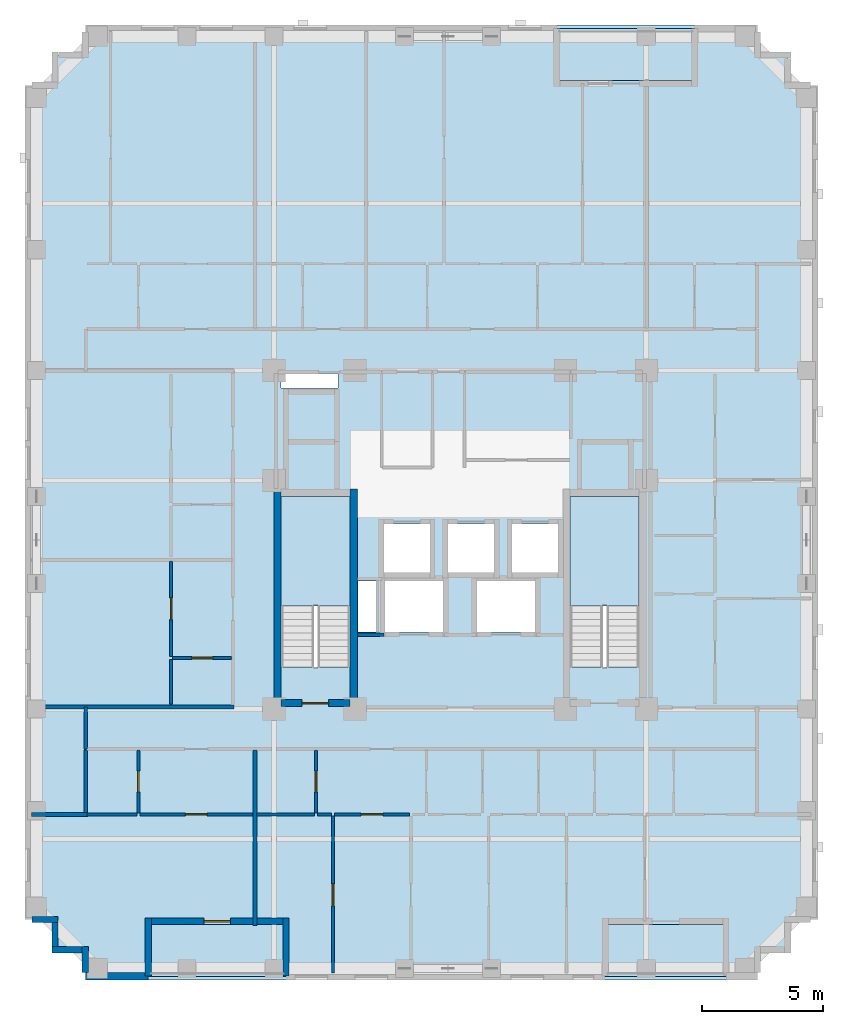
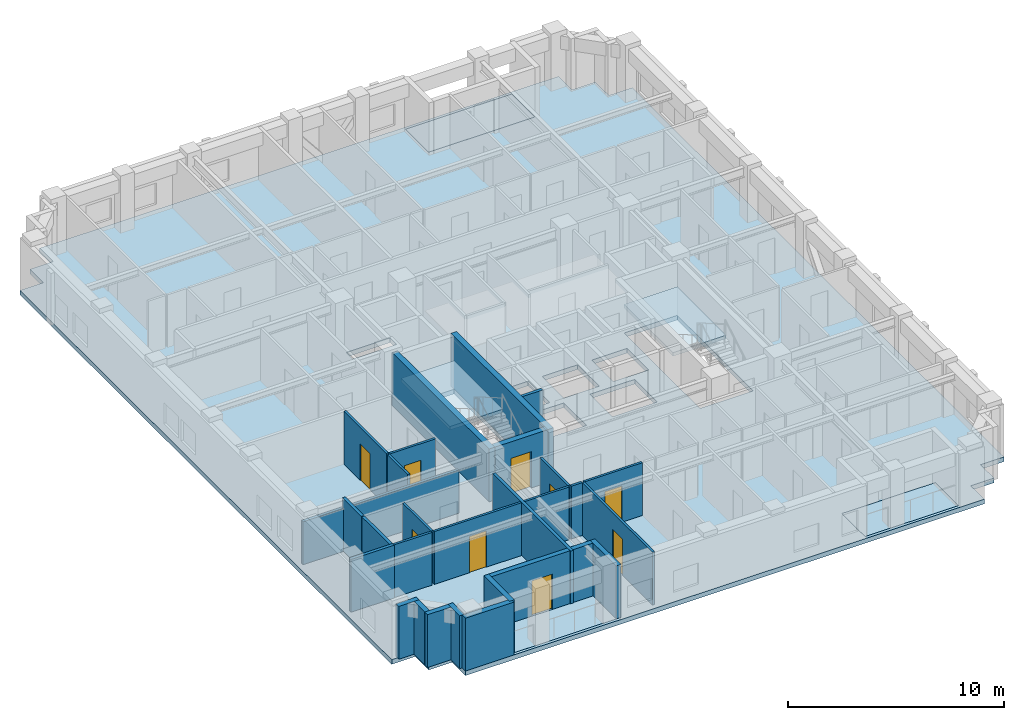
# One storey, part 2 of 11: 28 walls, 9 doors, 6 slabs, 9 openings, 2 elements without a shape of their own.
"""IFC4 building model written with IfcOpenShell, lengths in metres."""

from ifc_helpers import new_model, si_unit, derived_unit, direction, frame, frame_2d, origin, place, context, subcontext, project, spatial, polyline, rectangle, outline, extrude, material, layer, layer_set, type_object, element, fill, aggregate, save


model = new_model("IFC4")

# Units and contexts
model_context = context("Model", 3, precision=1e-05, world=origin(), true_north=direction((0.0, 1.0)))
body_context = subcontext(model_context, "Body", "Model", "MODEL_VIEW")
ifc_project = project(units=[si_unit("LENGTHUNIT", "METRE"), si_unit("AREAUNIT", "SQUARE_METRE"), si_unit("VOLUMEUNIT", "CUBIC_METRE"), si_unit("PLANEANGLEUNIT", "RADIAN"), si_unit("MASSUNIT", "GRAM", prefix="KILO"), derived_unit("THERMALTRANSMITTANCEUNIT", [(si_unit("MASSUNIT", "GRAM", prefix="KILO"), 1), (si_unit("TIMEUNIT", "SECOND"), -3), (si_unit("THERMODYNAMICTEMPERATUREUNIT", "KELVIN"), -1)])], contexts=[model_context])

# Site, building, storey
site_placement = place(None, origin())
site = spatial("IfcSite", under=ifc_project, at=site_placement, CompositionType="ELEMENT")
building_placement = place(site_placement, origin())
building = spatial("IfcBuilding", under=site, at=building_placement, Name="Korrvale Station Residences", CompositionType="ELEMENT")
storey_placement = place(building_placement, frame((0.0, 0.0, 143.89990234375)))
storey = spatial("IfcBuildingStorey", under=building, at=storey_placement, Name="L41", CompositionType="ELEMENT", Elevation=143.89990234375)

# Slabs
ifc_material_1 = material(Name="Concrete C50/60", Category="concrete")
ifc_layer_1 = layer(ifc_material_1, 0.219970703125, Name="Concrete C50/60")
ifc_layer_set_1 = layer_set([ifc_layer_1], Name="Concrete C50/60")
slab_type_1 = type_object("IfcSlabType", Name="SLB-BAL-220", PredefinedType="FLOOR", material=ifc_layer_set_1)
slab_1_placement = place(storey_placement, frame((0.0, 0.0, -0.219970703125)))
element("IfcSlab", 1, at=slab_1_placement, inside=storey, type_object=slab_type_1, Name="L41 Recessed Loggia Balcony Slab BAL-L41-S1", PredefinedType="FLOOR", context=body_context, shape_type="SweptSolid", body=[
    extrude(outline(polyline([(12.60009765625, 3.949951171875), (18.300048828125, 3.949951171875), (18.300048828125, 6.10009765625), (12.60009765625, 6.10009765625), (12.60009765625, 3.949951171875)])), origin(), (0.0, 0.0, 1.0), 0.219970703125),
])
slab_2_placement = place(storey_placement, frame((0.0, 0.0, -0.219970703125)))
element("IfcSlab", 2, at=slab_2_placement, inside=storey, type_object=slab_type_1, Name="L41 Recessed Loggia Balcony Slab BAL-L41-N1", PredefinedType="FLOOR", context=body_context, shape_type="SweptSolid", body=[
    extrude(outline(polyline([(29.5, 41.0), (35.199951171875, 41.0), (35.199951171875, 43.14990234375), (29.5, 43.14990234375), (29.5, 41.0)])), origin(), (0.0, 0.0, 1.0), 0.219970703125),
])
slab_3_placement = place(storey_placement, frame((0.0, 0.0, -0.219970703125)))
element("IfcSlab", 3, at=slab_3_placement, inside=storey, type_object=slab_type_1, Name="L41 Recessed Loggia Balcony Slab BAL-L41-S2", PredefinedType="FLOOR", context=body_context, shape_type="SweptSolid", body=[
    extrude(outline(polyline([(31.5, 3.949951171875), (36.5, 3.949951171875), (36.5, 6.10009765625), (31.5, 6.10009765625), (31.5, 3.949951171875)])), origin(), (0.0, 0.0, 1.0), 0.219970703125),
])
ifc_layer_2 = layer(ifc_material_1, 0.260009765625, Name="Concrete C50/60")
ifc_layer_set_2 = layer_set([ifc_layer_2], Name="Concrete C50/60")
slab_type_2 = type_object("IfcSlabType", Name="SLB-FLR-260", PredefinedType="FLOOR", material=ifc_layer_set_2)
slab_4_placement = place(storey_placement, frame((0.0, 0.0, -0.260009765625)))
element("IfcSlab", 4, at=slab_4_placement, inside=storey, type_object=slab_type_2, Name="L41 Suspended Structural Floor Slab", PredefinedType="FLOOR", context=body_context, shape_type="SweptSolid", body=[
    extrude(outline(polyline([(10.0, 3.800048828125), (37.800048828125, 3.800048828125), (37.800048828125, 5.050048828125), (39.050048828125, 5.050048828125), (39.050048828125, 6.300048828125), (40.300048828125, 6.300048828125), (40.300048828125, 40.800048828125), (39.050048828125, 40.800048828125), (39.050048828125, 42.050048828125), (37.800048828125, 42.050048828125), (37.800048828125, 43.300048828125), (10.0, 43.300048828125), (10.0, 42.050048828125), (8.75, 42.050048828125), (8.75, 40.800048828125), (7.5, 40.800048828125), (7.5, 6.300048828125), (8.75, 6.300048828125), (8.75, 5.050048828125), (10.0, 5.050048828125), (10.0, 3.800048828125)]), holes=[polyline([(20.949951171875, 16.751953125), (20.949951171875, 23.800048828125), (18.10009765625, 23.800048828125), (18.10009765625, 16.751953125), (20.949951171875, 16.751953125)]), polyline([(32.89990234375, 16.751953125), (32.89990234375, 23.800048828125), (30.050048828125, 23.800048828125), (30.050048828125, 16.751953125), (32.89990234375, 16.751953125)]), polyline([(22.35009765625, 20.64990234375), (24.25, 20.64990234375), (24.25, 22.64990234375), (22.35009765625, 22.64990234375), (22.35009765625, 20.64990234375)]), polyline([(25.0, 20.64990234375), (26.89990234375, 20.64990234375), (26.89990234375, 22.64990234375), (25.0, 22.64990234375), (25.0, 20.64990234375)]), polyline([(27.64990234375, 20.64990234375), (29.550048828125, 20.64990234375), (29.550048828125, 22.64990234375), (27.64990234375, 22.64990234375), (27.64990234375, 20.64990234375)]), polyline([(22.39990234375, 18.199951171875), (24.800048828125, 18.199951171875), (24.800048828125, 20.300048828125), (22.39990234375, 20.300048828125), (22.39990234375, 18.199951171875)]), polyline([(26.199951171875, 18.199951171875), (28.60009765625, 18.199951171875), (28.60009765625, 20.300048828125), (26.199951171875, 20.300048828125), (26.199951171875, 18.199951171875)]), polyline([(18.10009765625, 28.280029296875), (20.449951171875, 28.280029296875), (20.449951171875, 28.8798828125), (18.10009765625, 28.8798828125), (18.10009765625, 28.280029296875)]), polyline([(21.280029296875, 18.199951171875), (22.02001953125, 18.199951171875), (22.02001953125, 20.300048828125), (21.280029296875, 20.300048828125), (21.280029296875, 18.199951171875)]), polyline([(12.60009765625, 3.949951171875), (18.300048828125, 3.949951171875), (18.300048828125, 6.10009765625), (12.60009765625, 6.10009765625), (12.60009765625, 3.949951171875)]), polyline([(29.5, 41.0), (35.199951171875, 41.0), (35.199951171875, 43.14990234375), (29.5, 43.14990234375), (29.5, 41.0)]), polyline([(31.5, 3.949951171875), (36.5, 3.949951171875), (36.5, 6.10009765625), (31.5, 6.10009765625), (31.5, 3.949951171875)])]), origin(), (0.0, 0.0, 1.0), 0.260009765625),
])

# Stair, slab
stair_type = type_object("IfcStairType", Name="STR-DL-1350-20R-1625", PredefinedType="HALF_TURN_STAIR", material=ifc_material_1)
stair_1_placement = place(storey_placement, origin())
stair_1 = element("IfcStair", 5, at=stair_1_placement, inside=storey, type_object=stair_type, Name="L41 Exit Stair 1", PredefinedType="HALF_TURN_STAIR")
ifc_layer_3 = layer(ifc_material_1, 0.199951171875, Name="Concrete C50/60")
ifc_layer_set_3 = layer_set([ifc_layer_3], Name="Concrete C50/60")
slab_type_3 = type_object("IfcSlabType", Name="SLB-LND-200", PredefinedType="LANDING", material=ifc_layer_set_3)
slab_5_placement = place(storey_placement, frame((0.0, 0.0, 1.425048828125)))
slab_5 = element("IfcSlab", 6, at=slab_5_placement, type_object=slab_type_3, Name="ST-1 landing 1", PredefinedType="LANDING", context=body_context, shape_type="SweptSolid", body=[
    extrude(outline(polyline([(20.949951171875, 19.27001953125), (20.949951171875, 23.800048828125), (18.10009765625, 23.800048828125), (18.10009765625, 19.27001953125), (20.949951171875, 19.27001953125)])), origin(), (0.0, 0.0, 1.0), 0.199951171875),
])
aggregate(stair_1, [slab_5])

stair_2_placement = place(storey_placement, origin())
stair_2 = element("IfcStair", 7, at=stair_2_placement, inside=storey, type_object=stair_type, Name="L41 Exit Stair 2", PredefinedType="HALF_TURN_STAIR")
slab_6_placement = place(storey_placement, frame((0.0, 0.0, 1.425048828125)))
slab_6 = element("IfcSlab", 8, at=slab_6_placement, type_object=slab_type_3, Name="ST-2 landing 1", PredefinedType="LANDING", context=body_context, shape_type="SweptSolid", body=[
    extrude(outline(polyline([(32.89990234375, 19.27001953125), (32.89990234375, 23.800048828125), (30.050048828125, 23.800048828125), (30.050048828125, 19.27001953125), (32.89990234375, 19.27001953125)])), origin(), (0.0, 0.0, 1.0), 0.199951171875),
])
aggregate(stair_2, [slab_6])

# Walls
ifc_material_2 = material(Name="Concrete C60/75", Category="concrete")
ifc_layer_4 = layer(ifc_material_2, 0.300048828125, Name="Concrete C60/75")
ifc_layer_set_4 = layer_set([ifc_layer_4], Name="Concrete C60/75")
wall_type_1 = type_object("IfcWallType", Name="WAL-CORE-300-C60", PredefinedType="SHEAR", material=ifc_layer_set_4)
for number, where, z_axis, x_axis, name in (
    (9, (17.949951171875, 15.10009765625, 0.0), (0.0, 0.0, 1.0), (0.0, 1.0, 0.0), "L41 ST-1 Core Shear Wall West"),
    (10, (21.10009765625, 15.10009765625, 0.0), (0.0, 0.0, 1.0), (0.0, 1.0, 0.0), "L41 ST-1 Core Shear Wall East"),
):
    element("IfcWall", number, at=place(storey_placement, frame(where, z_axis=z_axis, x_axis=x_axis)), inside=storey, type_object=wall_type_1, Name=name, PredefinedType="SHEAR", context=body_context, shape_type="SweptSolid", body=[
        extrude(rectangle(XDim=9.0, YDim=0.300048828125, at=frame_2d((4.5, 0.0))), origin(), (0.0, 0.0, 1.0), 2.989990234375),
    ])

# Wall, opening, door
wall_1_placement = place(storey_placement, frame((18.10009765625, 15.25, 0.0), z_axis=(0.0, 0.0, 1.0), x_axis=(1.0, 0.0, 0.0)))
wall_1 = element("IfcWall", 11, at=wall_1_placement, inside=storey, type_object=wall_type_1, Name="L41 ST-1 Core Shear Wall South", PredefinedType="SHEAR", context=body_context, shape_type="SweptSolid", body=[
    extrude(rectangle(XDim=2.849853515625, YDim=0.300048828125, at=frame_2d((1.4248046875, 0.0))), origin(), (0.0, 0.0, 1.0), 2.989990234375),
])
opening_1_placement = place(wall_1_placement, frame((0.860107421875, 0.0, 0.0)))
opening_1 = element("IfcOpeningElement", 12, at=opening_1_placement, cuts=wall_1, Name="Opening SD-1100", PredefinedType="OPENING", context=body_context, shape_type="SweptSolid", body=[
    extrude(rectangle(XDim=1.10009765625, YDim=2.050048828125, at=frame_2d((0.550048828125, 1.02490234375))), frame((0.0, 0.16015625, 0.0), z_axis=(0.0, -1.0, 0.0), x_axis=(1.0, 0.0, 0.0)), (0.0, 0.0, 1.0), 0.320068359375),
])
ifc_material_3 = material(Name="Hollow-metal fire-rated stair door with closer", Category="steel")
door_type_1 = type_object("IfcDoorType", Name="DR-STAIR-1100", OperationType="NOTDEFINED", PredefinedType="DOOR", material=ifc_material_3)
door_1_placement = place(opening_1_placement, origin())
door_1 = element("IfcDoor", 13, at=door_1_placement, inside=storey, type_object=door_type_1, Name="L41 ST-1 Exit Stair Door", OperationType="SINGLE_SWING_LEFT", OverallHeight=2.050048828125, OverallWidth=1.10009765625, PredefinedType="DOOR", context=body_context, shape_type="SweptSolid", body=[
    extrude(rectangle(XDim=1.10009765625, YDim=2.050048828125, at=frame_2d((0.550048828125, 1.02490234375))), frame((0.0, 0.02490234375, 0.0), z_axis=(0.0, -1.0, 0.0), x_axis=(1.0, 0.0, 0.0)), (0.0, 0.0, 1.0), 0.050048828125),
])
fill(opening_1, door_1)

# Wall
ifc_material_4 = material(Name="Precast concrete C45/55", Category="concrete")
ifc_layer_5 = layer(ifc_material_4, 0.260009765625, Name="Precast concrete C45/55")
ifc_layer_set_5 = layer_set([ifc_layer_5], Name="Precast concrete C45/55")
wall_type_2 = type_object("IfcWallType", Name="WAL-EXT-LOG260", PredefinedType="SOLIDWALL", material=ifc_layer_set_5)
wall_2_placement = place(storey_placement, frame((18.300048828125, 3.9599609375, 0.0), z_axis=(0.0, 0.0, 1.0), x_axis=(0.0, 1.0, 0.0)))
element("IfcWall", 14, at=wall_2_placement, inside=storey, type_object=wall_type_2, Name="L41 Recessed Loggia Wall BAL-L41-S1-L", PredefinedType="SOLIDWALL", context=body_context, shape_type="SweptSolid", body=[
    extrude(rectangle(XDim=2.400146484375, YDim=0.260009765625, at=frame_2d((1.2001953125, 0.0))), origin(), (0.0, 0.0, 1.0), 2.989990234375),
])

# Wall, opening, door
wall_3_placement = place(storey_placement, frame((18.166015625, 6.22998046875, 0.0), z_axis=(0.0, 0.0, 1.0), x_axis=(-1.0, 0.0, 0.0)))
wall_3 = element("IfcWall", 15, at=wall_3_placement, inside=storey, type_object=wall_type_2, Name="L41 Recessed Loggia Wall BAL-L41-S1-B", PredefinedType="SOLIDWALL", context=body_context, shape_type="SweptSolid", body=[
    extrude(rectangle(XDim=5.43212890625, YDim=0.260009765625, at=frame_2d((2.716064453125, 0.0))), origin(), (0.0, 0.0, 1.0), 2.989990234375),
])
opening_2_placement = place(wall_3_placement, frame((2.166015625, 0.0, 0.0)))
opening_2 = element("IfcOpeningElement", 16, at=opening_2_placement, cuts=wall_3, Name="Opening BD-01", PredefinedType="OPENING", context=body_context, shape_type="SweptSolid", body=[
    extrude(rectangle(XDim=1.10009765625, YDim=2.0, at=frame_2d((0.550048828125, 1.0))), frame((0.0, 0.14013671875, 0.0), z_axis=(0.0, -1.0, 0.0), x_axis=(1.0, 0.0, 0.0)), (0.0, 0.0, 1.0), 0.280029296875),
])
ifc_material_5 = material(Name="Exterior thermally broken aluminium glazed balcony door", Category="aluminium")
door_type_2 = type_object("IfcDoorType", Name="DR-EXT-BAL", OperationType="NOTDEFINED", PredefinedType="DOOR", material=ifc_material_5)
door_2_placement = place(opening_2_placement, origin())
door_2 = element("IfcDoor", 17, at=door_2_placement, inside=storey, type_object=door_type_2, Name="L41 Loggia Balcony Door BAL-L41-S1", OperationType="SINGLE_SWING_LEFT", OverallHeight=2.0, OverallWidth=1.10009765625, PredefinedType="DOOR", context=body_context, shape_type="SweptSolid", body=[
    extrude(rectangle(XDim=1.10009765625, YDim=2.0, at=frame_2d((0.550048828125, 1.0))), frame((0.0, 0.02490234375, 0.0), z_axis=(0.0, -1.0, 0.0), x_axis=(1.0, 0.0, 0.0)), (0.0, 0.0, 1.0), 0.050048828125),
])
fill(opening_2, door_2)

# Walls
wall_4_placement = place(storey_placement, frame((12.60009765625, 6.360107421875, 0.0), z_axis=(0.0, 0.0, 1.0), x_axis=(0.0, -1.0, 0.0)))
element("IfcWall", 18, at=wall_4_placement, inside=storey, type_object=wall_type_2, Name="L41 Recessed Loggia Wall BAL-L41-S1-R", PredefinedType="SOLIDWALL", context=body_context, shape_type="SweptSolid", body=[
    extrude(rectangle(XDim=2.400146484375, YDim=0.260009765625, at=frame_2d((1.2001953125, 0.0))), origin(), (0.0, 0.0, 1.0), 2.989990234375),
])
wall_5_placement = place(storey_placement, frame((10.0, 4.10205078125, 0.0), z_axis=(0.0, 0.0, 1.0), x_axis=(0.0, 1.0, 0.0)))
element("IfcWall", 19, at=wall_5_placement, inside=storey, type_object=wall_type_2, Name="L41 Serrated Corner Precast Step SW-1", PredefinedType="SOLIDWALL", context=body_context, shape_type="SweptSolid", body=[
    extrude(rectangle(XDim=1.077880859375, YDim=0.260009765625, at=frame_2d((0.5390625, 0.0))), origin(), (0.0, 0.0, 1.0), 2.989990234375),
])
wall_6_placement = place(storey_placement, frame((9.867919921875, 5.050048828125, 0.0), z_axis=(0.0, 0.0, 1.0), x_axis=(-1.0, 0.0, 0.0)))
element("IfcWall", 20, at=wall_6_placement, inside=storey, type_object=wall_type_2, Name="L41 Serrated Corner Precast Step SW-2", PredefinedType="SOLIDWALL", context=body_context, shape_type="SweptSolid", body=[
    extrude(rectangle(XDim=1.247802734375, YDim=0.260009765625, at=frame_2d((0.6240234375, 0.0))), origin(), (0.0, 0.0, 1.0), 2.989990234375),
])
wall_7_placement = place(storey_placement, frame((8.75, 5.181884765625, 0.0), z_axis=(0.0, 0.0, 1.0), x_axis=(0.0, 1.0, 0.0)))
element("IfcWall", 21, at=wall_7_placement, inside=storey, type_object=wall_type_2, Name="L41 Serrated Corner Precast Step SW-3", PredefinedType="SOLIDWALL", context=body_context, shape_type="SweptSolid", body=[
    extrude(rectangle(XDim=0.986083984375, YDim=0.260009765625, at=frame_2d((0.4931640625, 0.0))), origin(), (0.0, 0.0, 1.0), 2.989990234375),
])
wall_8_placement = place(storey_placement, frame((8.8798828125, 6.300048828125, 0.0), z_axis=(0.0, 0.0, 1.0), x_axis=(-1.0, 0.0, 0.0)))
element("IfcWall", 22, at=wall_8_placement, inside=storey, type_object=wall_type_2, Name="L41 Serrated Corner Precast Step SW-4", PredefinedType="SOLIDWALL", context=body_context, shape_type="SweptSolid", body=[
    extrude(rectangle(XDim=1.077880859375, YDim=0.260009765625, at=frame_2d((0.5390625, 0.0))), origin(), (0.0, 0.0, 1.0), 2.989990234375),
])
ifc_layer_6 = layer(ifc_material_4, 0.300048828125, Name="Precast concrete C45/55")
ifc_layer_set_6 = layer_set([ifc_layer_6], Name="Precast concrete C45/55")
wall_type_3 = type_object("IfcWallType", Name="WAL-EXT-PC300", PredefinedType="SOLIDWALL", material=ifc_layer_set_6)
wall_9_placement = place(storey_placement, frame((12.60009765625, 3.949951171875, 0.0), z_axis=(0.0, 0.0, 1.0), x_axis=(-1.0, 0.0, 0.0)))
element("IfcWall", 23, at=wall_9_placement, inside=storey, type_object=wall_type_3, Name="L41 South Exterior Precast Wall 3", PredefinedType="SOLIDWALL", context=body_context, shape_type="SweptSolid", body=[
    extrude(rectangle(XDim=2.60009765625, YDim=0.300048828125, at=frame_2d((1.300048828125, 0.0))), origin(), (0.0, 0.0, 1.0), 2.989990234375),
])

# Wall, opening, door
ifc_material_6 = material(Name="Acoustic steel-stud gypsum board partition", Category="steel")
ifc_layer_7 = layer(ifc_material_6, 0.1201171875, Name="Acoustic steel-stud gypsum board partition")
ifc_layer_set_7 = layer_set([ifc_layer_7], Name="Acoustic steel-stud gypsum board partition")
wall_type_4 = type_object("IfcWallType", Name="WAL-PART-125", PredefinedType="PARTITIONING", material=ifc_layer_set_7)
wall_10_placement = place(storey_placement, frame((12.193115234375, 10.7099609375, 0.0), z_axis=(0.0, 0.0, 1.0), x_axis=(0.0, 1.0, 0.0)))
wall_10 = element("IfcWall", 24, at=wall_10_placement, inside=storey, type_object=wall_type_4, Name="L41 Suite Partition U01-V01", PredefinedType="PARTITIONING", context=body_context, shape_type="SweptSolid", body=[
    extrude(rectangle(XDim=2.60009765625, YDim=0.1201171875, at=frame_2d((1.300048828125, 0.0))), origin(), (0.0, 0.0, 1.0), 2.989990234375),
])
opening_3_placement = place(wall_10_placement, frame((0.8701171875, 0.0, 0.0)))
opening_3 = element("IfcOpeningElement", 25, at=opening_3_placement, cuts=wall_10, Name="Opening DB-860", PredefinedType="OPENING", context=body_context, shape_type="SweptSolid", body=[
    extrude(rectangle(XDim=0.860107421875, YDim=2.050048828125, at=frame_2d((0.43017578125, 1.02490234375))), frame((0.0, 0.070068359375, 0.0), z_axis=(0.0, -1.0, 0.0), x_axis=(1.0, 0.0, 0.0)), (0.0, 0.0, 1.0), 0.14013671875),
])
ifc_material_7 = material(Name="Moisture-resistant solid-core bathroom door", Category="timber")
door_type_3 = type_object("IfcDoorType", Name="DR-BATH-860", OperationType="NOTDEFINED", PredefinedType="DOOR", material=ifc_material_7)
door_3_placement = place(opening_3_placement, origin())
door_3 = element("IfcDoor", 26, at=door_3_placement, inside=storey, type_object=door_type_3, Name="L41 Studio Apartment L41-U01 Bathroom Door", OperationType="SINGLE_SWING_RIGHT", OverallHeight=2.050048828125, OverallWidth=0.860107421875, PredefinedType="DOOR", context=body_context, shape_type="SweptSolid", body=[
    extrude(rectangle(XDim=0.860107421875, YDim=2.050048828125, at=frame_2d((0.43017578125, 1.02490234375))), frame((0.0, 0.02490234375, 0.0), z_axis=(0.0, -1.0, 0.0), x_axis=(1.0, 0.0, 0.0)), (0.0, 0.0, 1.0), 0.050048828125),
])
fill(opening_3, door_3)

# Wall
wall_11_placement = place(storey_placement, frame((10.080078125, 10.64990234375, 0.0), z_axis=(0.0, 0.0, 1.0), x_axis=(1.0, 0.0, 0.0)))
element("IfcWall", 27, at=wall_11_placement, inside=storey, type_object=wall_type_4, Name="L41 Suite Partition U01-H02", PredefinedType="PARTITIONING", context=body_context, shape_type="SweptSolid", body=[
    extrude(rectangle(XDim=2.052978515625, YDim=0.1201171875, at=frame_2d((1.0263671875, 0.0))), origin(), (0.0, 0.0, 1.0), 2.989990234375),
])

# Wall, opening, door
wall_12_placement = place(storey_placement, frame((12.2529296875, 10.64990234375, 0.0), z_axis=(0.0, 0.0, 1.0), x_axis=(1.0, 0.0, 0.0)))
wall_12 = element("IfcWall", 28, at=wall_12_placement, inside=storey, type_object=wall_type_4, Name="L41 Suite Partition U01-H12", PredefinedType="PARTITIONING", context=body_context, shape_type="SweptSolid", body=[
    extrude(rectangle(XDim=4.671142578125, YDim=0.1201171875, at=frame_2d((2.33544921875, 0.0))), origin(), (0.0, 0.0, 1.0), 2.989990234375),
])
opening_4_placement = place(wall_12_placement, frame((1.885009765625, 0.0, 0.0)))
opening_4 = element("IfcOpeningElement", 29, at=opening_4_placement, cuts=wall_12, Name="Opening DI-900", PredefinedType="OPENING", context=body_context, shape_type="SweptSolid", body=[
    extrude(rectangle(XDim=0.89990234375, YDim=2.050048828125, at=frame_2d((0.449951171875, 1.02490234375))), frame((0.0, 0.070068359375, 0.0), z_axis=(0.0, -1.0, 0.0), x_axis=(1.0, 0.0, 0.0)), (0.0, 0.0, 1.0), 0.14013671875),
])
ifc_material_8 = material(Name="Painted solid-core timber interior room door", Category="wood")
door_type_4 = type_object("IfcDoorType", Name="DR-INT-900", OperationType="NOTDEFINED", PredefinedType="DOOR", material=ifc_material_8)
door_4_placement = place(opening_4_placement, origin())
door_4 = element("IfcDoor", 30, at=door_4_placement, inside=storey, type_object=door_type_4, Name="L41 Studio Apartment L41-U01 Kitchen Door", OperationType="SINGLE_SWING_LEFT", OverallHeight=2.050048828125, OverallWidth=0.89990234375, PredefinedType="DOOR", context=body_context, shape_type="SweptSolid", body=[
    extrude(rectangle(XDim=0.89990234375, YDim=2.050048828125, at=frame_2d((0.449951171875, 1.02490234375))), frame((0.0, 0.02490234375, 0.0), z_axis=(0.0, -1.0, 0.0), x_axis=(1.0, 0.0, 0.0)), (0.0, 0.0, 1.0), 0.050048828125),
])
fill(opening_4, door_4)

wall_13_placement = place(storey_placement, frame((19.5439453125, 10.7099609375, 0.0), z_axis=(0.0, 0.0, 1.0), x_axis=(0.0, 1.0, 0.0)))
wall_13 = element("IfcWall", 31, at=wall_13_placement, inside=storey, type_object=wall_type_4, Name="L41 Suite Partition U02-V01", PredefinedType="PARTITIONING", context=body_context, shape_type="SweptSolid", body=[
    extrude(rectangle(XDim=2.60009765625, YDim=0.1201171875, at=frame_2d((1.300048828125, 0.0))), origin(), (0.0, 0.0, 1.0), 2.989990234375),
])
opening_5_placement = place(wall_13_placement, frame((0.8701171875, 0.0, 0.0)))
opening_5 = element("IfcOpeningElement", 32, at=opening_5_placement, cuts=wall_13, Name="Opening DB-860", PredefinedType="OPENING", context=body_context, shape_type="SweptSolid", body=[
    extrude(rectangle(XDim=0.860107421875, YDim=2.050048828125, at=frame_2d((0.43017578125, 1.02490234375))), frame((0.0, 0.070068359375, 0.0), z_axis=(0.0, -1.0, 0.0), x_axis=(1.0, 0.0, 0.0)), (0.0, 0.0, 1.0), 0.14013671875),
])
door_5_placement = place(opening_5_placement, origin())
door_5 = element("IfcDoor", 33, at=door_5_placement, inside=storey, type_object=door_type_3, Name="L41 Studio Apartment L41-U02 Bathroom Door", OperationType="SINGLE_SWING_RIGHT", OverallHeight=2.050048828125, OverallWidth=0.860107421875, PredefinedType="DOOR", context=body_context, shape_type="SweptSolid", body=[
    extrude(rectangle(XDim=0.860107421875, YDim=2.050048828125, at=frame_2d((0.43017578125, 1.02490234375))), frame((0.0, 0.02490234375, 0.0), z_axis=(0.0, -1.0, 0.0), x_axis=(1.0, 0.0, 0.0)), (0.0, 0.0, 1.0), 0.050048828125),
])
fill(opening_5, door_5)

# Walls
wall_14_placement = place(storey_placement, frame((17.083984375, 10.64990234375, 0.0), z_axis=(0.0, 0.0, 1.0), x_axis=(1.0, 0.0, 0.0)))
element("IfcWall", 34, at=wall_14_placement, inside=storey, type_object=wall_type_4, Name="L41 Suite Partition U02-H07", PredefinedType="PARTITIONING", context=body_context, shape_type="SweptSolid", body=[
    extrude(rectangle(XDim=2.39990234375, YDim=0.1201171875, at=frame_2d((1.199951171875, 0.0))), origin(), (0.0, 0.0, 1.0), 2.989990234375),
])
wall_15_placement = place(storey_placement, frame((19.60400390625, 10.64990234375, 0.0), z_axis=(0.0, 0.0, 1.0), x_axis=(1.0, 0.0, 0.0)))
element("IfcWall", 35, at=wall_15_placement, inside=storey, type_object=wall_type_4, Name="L41 Suite Partition U02-H17", PredefinedType="PARTITIONING", context=body_context, shape_type="SweptSolid", body=[
    extrude(rectangle(XDim=0.580078125, YDim=0.1201171875, at=frame_2d((0.2900390625, 0.0))), origin(), (0.0, 0.0, 1.0), 2.989990234375),
])

# Wall, opening, door
wall_16_placement = place(storey_placement, frame((20.303955078125, 10.64990234375, 0.0), z_axis=(0.0, 0.0, 1.0), x_axis=(1.0, 0.0, 0.0)))
wall_16 = element("IfcWall", 36, at=wall_16_placement, inside=storey, type_object=wall_type_4, Name="L41 Suite Partition U02-H18", PredefinedType="PARTITIONING", context=body_context, shape_type="SweptSolid", body=[
    extrude(rectangle(XDim=3.10009765625, YDim=0.1201171875, at=frame_2d((1.550048828125, 0.0))), origin(), (0.0, 0.0, 1.0), 2.989990234375),
])
opening_6_placement = place(wall_16_placement, frame((1.10009765625, 0.0, 0.0)))
opening_6 = element("IfcOpeningElement", 37, at=opening_6_placement, cuts=wall_16, Name="Opening DI-900", PredefinedType="OPENING", context=body_context, shape_type="SweptSolid", body=[
    extrude(rectangle(XDim=0.89990234375, YDim=2.050048828125, at=frame_2d((0.449951171875, 1.02490234375))), frame((0.0, 0.070068359375, 0.0), z_axis=(0.0, -1.0, 0.0), x_axis=(1.0, 0.0, 0.0)), (0.0, 0.0, 1.0), 0.14013671875),
])
door_6_placement = place(opening_6_placement, origin())
door_6 = element("IfcDoor", 38, at=door_6_placement, inside=storey, type_object=door_type_4, Name="L41 Studio Apartment L41-U02 Kitchen Door", OperationType="SINGLE_SWING_RIGHT", OverallHeight=2.050048828125, OverallWidth=0.89990234375, PredefinedType="DOOR", context=body_context, shape_type="SweptSolid", body=[
    extrude(rectangle(XDim=0.89990234375, YDim=2.050048828125, at=frame_2d((0.449951171875, 1.02490234375))), frame((0.0, 0.02490234375, 0.0), z_axis=(0.0, -1.0, 0.0), x_axis=(1.0, 0.0, 0.0)), (0.0, 0.0, 1.0), 0.050048828125),
])
fill(opening_6, door_6)

wall_17_placement = place(storey_placement, frame((20.243896484375, 4.080078125, 0.0), z_axis=(0.0, 0.0, 1.0), x_axis=(0.0, 1.0, 0.0)))
wall_17 = element("IfcWall", 39, at=wall_17_placement, inside=storey, type_object=wall_type_4, Name="L41 Suite Partition U02-V78", PredefinedType="PARTITIONING", context=body_context, shape_type="SweptSolid", body=[
    extrude(rectangle(XDim=6.510009765625, YDim=0.1201171875, at=frame_2d((3.2548828125, 0.0))), origin(), (0.0, 0.0, 1.0), 2.989990234375),
])
opening_7_placement = place(wall_17_placement, frame((2.7900390625, 0.0, 0.0)))
opening_7 = element("IfcOpeningElement", 40, at=opening_7_placement, cuts=wall_17, Name="Opening DI-900", PredefinedType="OPENING", context=body_context, shape_type="SweptSolid", body=[
    extrude(rectangle(XDim=0.89990234375, YDim=2.050048828125, at=frame_2d((0.449951171875, 1.02490234375))), frame((0.0, 0.070068359375, 0.0), z_axis=(0.0, -1.0, 0.0), x_axis=(1.0, 0.0, 0.0)), (0.0, 0.0, 1.0), 0.14013671875),
])
door_7_placement = place(opening_7_placement, origin())
door_7 = element("IfcDoor", 41, at=door_7_placement, inside=storey, type_object=door_type_4, Name="L41 Studio Apartment L41-U02 Formal Dining Room Door", OperationType="SINGLE_SWING_LEFT", OverallHeight=2.050048828125, OverallWidth=0.89990234375, PredefinedType="DOOR", context=body_context, shape_type="SweptSolid", body=[
    extrude(rectangle(XDim=0.89990234375, YDim=2.050048828125, at=frame_2d((0.449951171875, 1.02490234375))), frame((0.0, 0.02490234375, 0.0), z_axis=(0.0, -1.0, 0.0), x_axis=(1.0, 0.0, 0.0)), (0.0, 0.0, 1.0), 0.050048828125),
])
fill(opening_7, door_7)

wall_18_placement = place(storey_placement, frame((13.610107421875, 17.1201171875, 0.0), z_axis=(0.0, 0.0, 1.0), x_axis=(1.0, 0.0, 0.0)))
wall_18 = element("IfcWall", 42, at=wall_18_placement, inside=storey, type_object=wall_type_4, Name="L41 Suite Partition U07-H01", PredefinedType="PARTITIONING", context=body_context, shape_type="SweptSolid", body=[
    extrude(rectangle(XDim=2.449951171875, YDim=0.1201171875, at=frame_2d((1.22509765625, 0.0))), origin(), (0.0, 0.0, 1.0), 2.989990234375),
])
opening_8_placement = place(wall_18_placement, frame((0.794921875, 0.0, 0.0)))
opening_8 = element("IfcOpeningElement", 43, at=opening_8_placement, cuts=wall_18, Name="Opening DB-860", PredefinedType="OPENING", context=body_context, shape_type="SweptSolid", body=[
    extrude(rectangle(XDim=0.860107421875, YDim=2.050048828125, at=frame_2d((0.43017578125, 1.02490234375))), frame((0.0, 0.070068359375, 0.0), z_axis=(0.0, -1.0, 0.0), x_axis=(1.0, 0.0, 0.0)), (0.0, 0.0, 1.0), 0.14013671875),
])
door_8_placement = place(opening_8_placement, origin())
door_8 = element("IfcDoor", 44, at=door_8_placement, inside=storey, type_object=door_type_3, Name="L41 Apartment 1BR L41-U07 Bathroom Door", OperationType="SINGLE_SWING_RIGHT", OverallHeight=2.050048828125, OverallWidth=0.860107421875, PredefinedType="DOOR", context=body_context, shape_type="SweptSolid", body=[
    extrude(rectangle(XDim=0.860107421875, YDim=2.050048828125, at=frame_2d((0.43017578125, 1.02490234375))), frame((0.0, 0.02490234375, 0.0), z_axis=(0.0, -1.0, 0.0), x_axis=(1.0, 0.0, 0.0)), (0.0, 0.0, 1.0), 0.050048828125),
])
fill(opening_8, door_8)

# Wall
wall_19_placement = place(storey_placement, frame((13.550048828125, 15.2099609375, 0.0), z_axis=(0.0, 0.0, 1.0), x_axis=(0.0, 1.0, 0.0)))
element("IfcWall", 45, at=wall_19_placement, inside=storey, type_object=wall_type_4, Name="L41 Suite Partition U07-V02", PredefinedType="PARTITIONING", context=body_context, shape_type="SweptSolid", body=[
    extrude(rectangle(XDim=1.85009765625, YDim=0.1201171875, at=frame_2d((0.925048828125, 0.0))), origin(), (0.0, 0.0, 1.0), 2.989990234375),
])

# Wall, opening, door
wall_20_placement = place(storey_placement, frame((13.550048828125, 17.179931640625, 0.0), z_axis=(0.0, 0.0, 1.0), x_axis=(0.0, 1.0, 0.0)))
wall_20 = element("IfcWall", 46, at=wall_20_placement, inside=storey, type_object=wall_type_4, Name="L41 Suite Partition U07-V12", PredefinedType="PARTITIONING", context=body_context, shape_type="SweptSolid", body=[
    extrude(rectangle(XDim=3.946044921875, YDim=0.1201171875, at=frame_2d((1.97314453125, 0.0))), origin(), (0.0, 0.0, 1.0), 2.989990234375),
])
opening_9_placement = place(wall_20_placement, frame((1.52294921875, 0.0, 0.0)))
opening_9 = element("IfcOpeningElement", 47, at=opening_9_placement, cuts=wall_20, Name="Opening DI-900", PredefinedType="OPENING", context=body_context, shape_type="SweptSolid", body=[
    extrude(rectangle(XDim=0.89990234375, YDim=2.050048828125, at=frame_2d((0.449951171875, 1.02490234375))), frame((0.0, 0.070068359375, 0.0), z_axis=(0.0, -1.0, 0.0), x_axis=(1.0, 0.0, 0.0)), (0.0, 0.0, 1.0), 0.14013671875),
])
door_9_placement = place(opening_9_placement, origin())
door_9 = element("IfcDoor", 48, at=door_9_placement, inside=storey, type_object=door_type_4, Name="L41 Apartment 1BR L41-U07 Kitchen Door", OperationType="SINGLE_SWING_LEFT", OverallHeight=2.050048828125, OverallWidth=0.89990234375, PredefinedType="DOOR", context=body_context, shape_type="SweptSolid", body=[
    extrude(rectangle(XDim=0.89990234375, YDim=2.050048828125, at=frame_2d((0.449951171875, 1.02490234375))), frame((0.0, 0.02490234375, 0.0), z_axis=(0.0, -1.0, 0.0), x_axis=(1.0, 0.0, 0.0)), (0.0, 0.0, 1.0), 0.050048828125),
])
fill(opening_9, door_9)

# Walls
ifc_material_9 = material(Name="Fire-rated twin-stud gypsum and mineral wool shaftwall assembly", Category="gypsum")
ifc_layer_8 = layer(ifc_material_9, 0.159912109375, Name="Fire-rated twin-stud gypsum and mineral wool shaftwall assembly")
ifc_layer_set_8 = layer_set([ifc_layer_8], Name="Fire-rated twin-stud gypsum and mineral wool shaftwall assembly")
wall_type_5 = type_object("IfcWallType", Name="WAL-PART-200", PredefinedType="PARTITIONING", material=ifc_layer_set_8)
wall_21_placement = place(storey_placement, frame((21.25, 18.080078125, 0.0), z_axis=(0.0, 0.0, 1.0), x_axis=(1.0, 0.0, 0.0)))
element("IfcWall", 49, at=wall_21_placement, inside=storey, type_object=wall_type_5, Name="L41 Core Partition CW-FFL-N1", PredefinedType="PARTITIONING", context=body_context, shape_type="SweptSolid", body=[
    extrude(rectangle(XDim=1.10009765625, YDim=0.159912109375, at=frame_2d((0.550048828125, 0.0))), origin(), (0.0, 0.0, 1.0), 2.989990234375),
])
wall_22_placement = place(storey_placement, frame((10.02001953125, 13.35009765625, 0.0), z_axis=(0.0, 0.0, 1.0), x_axis=(0.0, 1.0, 0.0)))
element("IfcWall", 50, at=wall_22_placement, inside=storey, type_object=wall_type_5, Name="L41 Corridor South West Cap", PredefinedType="PARTITIONING", context=body_context, shape_type="SweptSolid", body=[
    extrude(rectangle(XDim=1.739990234375, YDim=0.159912109375, at=frame_2d((0.8701171875, 0.0))), origin(), (0.0, 0.0, 1.0), 2.989990234375),
])
wall_23_placement = place(storey_placement, frame((7.780029296875, 15.090087890625, 0.0), z_axis=(0.0, 0.0, 1.0), x_axis=(1.0, 0.0, 0.0)))
element("IfcWall", 51, at=wall_23_placement, inside=storey, type_object=wall_type_5, Name="L41 West Wing South Corridor Wall", PredefinedType="PARTITIONING", context=body_context, shape_type="SweptSolid", body=[
    extrude(rectangle(XDim=8.35986328125, YDim=0.159912109375, at=frame_2d((4.179931640625, 0.0))), origin(), (0.0, 0.0, 1.0), 2.426025390625),
])
wall_24_placement = place(storey_placement, frame((7.780029296875, 10.64990234375, 0.0), z_axis=(0.0, 0.0, 1.0), x_axis=(1.0, 0.0, 0.0)))
element("IfcWall", 52, at=wall_24_placement, inside=storey, type_object=wall_type_5, Name="L41 Corner Step Wall U01-L", PredefinedType="PARTITIONING", context=body_context, shape_type="SweptSolid", body=[
    extrude(rectangle(XDim=2.340087890625, YDim=0.159912109375, at=frame_2d((1.169921875, 0.0))), origin(), (0.0, 0.0, 1.0), 2.989990234375),
])
wall_25_placement = place(storey_placement, frame((10.02001953125, 10.64990234375, 0.0), z_axis=(0.0, 0.0, 1.0), x_axis=(0.0, 1.0, 0.0)))
element("IfcWall", 53, at=wall_25_placement, inside=storey, type_object=wall_type_5, Name="L41 Corner Step Cheek U01-L", PredefinedType="PARTITIONING", context=body_context, shape_type="SweptSolid", body=[
    extrude(rectangle(XDim=2.66015625, YDim=0.159912109375, at=frame_2d((1.330078125, 0.0))), origin(), (0.0, 0.0, 1.0), 2.989990234375),
])
wall_26_placement = place(storey_placement, frame((17.02392578125, 6.06005859375, 0.0), z_axis=(0.0, 0.0, 1.0), x_axis=(0.0, 1.0, 0.0)))
element("IfcWall", 54, at=wall_26_placement, inside=storey, type_object=wall_type_5, Name="L41 Demising Wall U02-W", PredefinedType="PARTITIONING", context=body_context, shape_type="SweptSolid", body=[
    extrude(rectangle(XDim=7.25, YDim=0.159912109375, at=frame_2d((3.625, 0.0))), origin(), (0.0, 0.0, 1.0), 2.989990234375),
])

save(model, "model.ifc")
